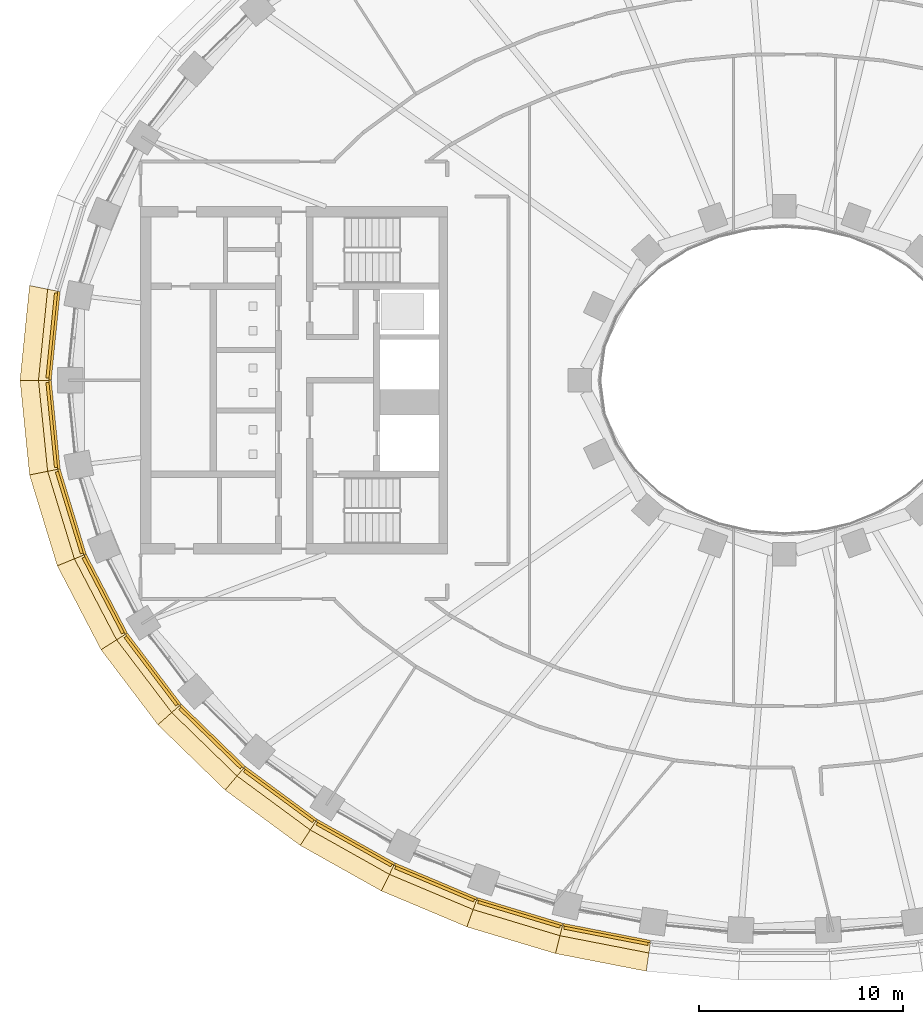
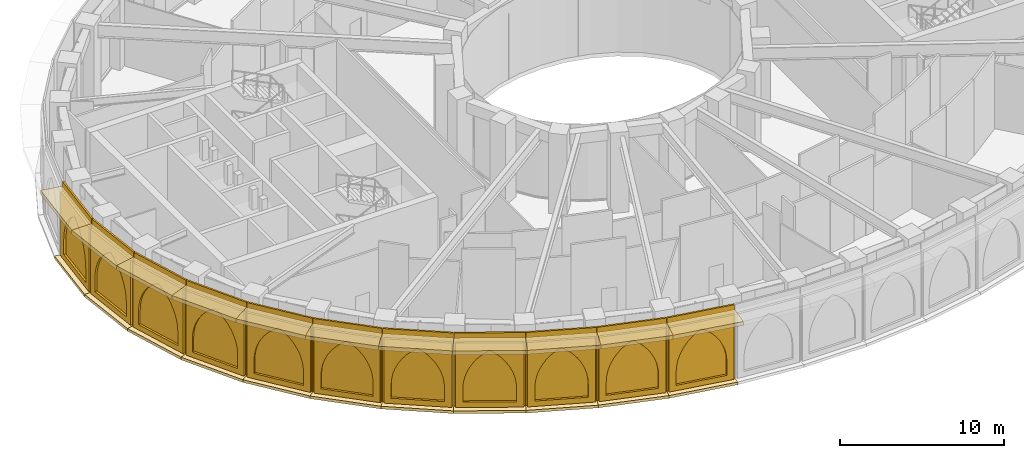
# One storey, part 17 of 23: 44 coverings.
"""IFC4 building model written with IfcOpenShell, lengths in metres."""

import ifcopenshell
import ifcopenshell.guid

model = None  # the IFC model being written
_history = None  # IfcOwnerHistory: only IFC2X3 demands one
_inside = {}  # id of a spatial element -> (the spatial element, [elements in it])
_under = {}  # id of a project, library or spatial element -> (it, [spatial elements below it])
_declared = {}  # id of a project -> (the project, [libraries it declares])
_typed = {}  # id of a type object -> (the type object, [elements of that type])
_made_of = {}  # id of a material, layer set ... -> (it, [elements and type objects made of it])


def new_model(schema):
    """Start an empty IFC model of exactly this schema.

    Asked for "IFC4X3", IfcOpenShell would pick the latest addendum, in which some entities
    have other attributes; the version numbers below select the first issue.
    IFC2X3 requires an IfcOwnerHistory on every rooted entity: one is made here for all.
    """
    global model, _history
    if schema == "IFC4X3":
        model = ifcopenshell.file(schema_version=(4, 3, 0, 0))
    else:
        model = ifcopenshell.file(schema=schema)
    _inside.clear()
    _under.clear()
    _declared.clear()
    _typed.clear()
    _made_of.clear()
    _history = None
    if model.schema == "IFC2X3":
        org = make("IfcOrganization", Name="unknown")
        user = make(
            "IfcPersonAndOrganization",
            ThePerson=make("IfcPerson", FamilyName="unknown"),
            TheOrganization=org,
        )
        app = make(
            "IfcApplication",
            ApplicationDeveloper=org,
            Version="unknown",
            ApplicationFullName="unknown",
            ApplicationIdentifier="unknown",
        )
        _history = make(
            "IfcOwnerHistory",
            OwningUser=user,
            OwningApplication=app,
            ChangeAction="ADDED",
            CreationDate=0,
        )
    return model


def make(cls, **values):
    """One entity of the class cls with the attributes given. An attribute that is None is left unset."""
    return model.create_entity(
        cls, **{name: value for name, value in values.items() if value is not None}
    )


def rooted(cls, **values):
    """An entity with a GlobalId (a new one), such as an element, a storey or a relation."""
    return make(cls, GlobalId=ifcopenshell.guid.new(), OwnerHistory=_history, **values)


def si_unit(unit_type, name, prefix=None):
    """IfcSIUnit, for example si_unit("LENGTHUNIT", "METRE", prefix="MILLI")."""
    return make("IfcSIUnit", UnitType=unit_type, Prefix=prefix, Name=name)


def assignment(units):
    """IfcUnitAssignment: the units of a project."""
    return None if units is None else make("IfcUnitAssignment", Units=units)


def point(xyz):
    """IfcCartesianPoint."""
    return None if xyz is None else make("IfcCartesianPoint", Coordinates=xyz)


def direction(xyz):
    """IfcDirection."""
    return None if xyz is None else make("IfcDirection", DirectionRatios=xyz)


def frame(location, z_axis=None, x_axis=None):
    """IfcAxis2Placement3D, a coordinate frame: its origin and axes. An axis left out is left unset."""
    return make(
        "IfcAxis2Placement3D",
        Location=point(location),
        Axis=direction(z_axis),
        RefDirection=direction(x_axis),
    )


def frame_2d(location, x_axis=None):
    """IfcAxis2Placement2D, a coordinate frame in the plane: its origin and x axis."""
    return make(
        "IfcAxis2Placement2D", Location=point(location), RefDirection=direction(x_axis)
    )


def origin():
    """The frame at (0, 0, 0) with its axes left unset."""
    return frame((0.0, 0.0, 0.0))


def origin_2d():
    """The frame at (0, 0) in the plane with its x axis left unset."""
    return frame_2d((0.0, 0.0))


def place(relative_to, where):
    """IfcLocalPlacement: puts the frame where relative to a parent placement (None: the world)."""
    return make(
        "IfcLocalPlacement", PlacementRelTo=relative_to, RelativePlacement=where
    )


def context(
    kind, dimensions, precision=None, world=None, true_north=None, identifier=None
):
    """IfcGeometricRepresentationContext, for example the 3D "Model" context."""
    return make(
        "IfcGeometricRepresentationContext",
        ContextIdentifier=identifier,
        ContextType=kind,
        CoordinateSpaceDimension=dimensions,
        Precision=precision,
        WorldCoordinateSystem=world,
        TrueNorth=true_north,
    )


def subcontext(parent, identifier, kind, view, scale=None):
    """IfcGeometricRepresentationSubContext, for example "Body" below "Model"."""
    return make(
        "IfcGeometricRepresentationSubContext",
        ContextIdentifier=identifier,
        ContextType=kind,
        ParentContext=parent,
        TargetScale=scale,
        TargetView=view,
    )


def project(units=None, contexts=None):
    """IfcProject with its units and contexts."""
    return rooted(
        "IfcProject",
        Name="project",
        RepresentationContexts=contexts,
        UnitsInContext=assignment(units),
    )


def spatial(cls, under=None, at=None, **own):
    """A site, building, storey or space (cls), placed at a placement, below another one or the project."""
    s = rooted(cls, ObjectPlacement=at, **own)
    if under is not None:
        _under.setdefault(under.id(), (under, []))[1].append(s)
    return s


def polyline(points):
    """IfcPolyline through the points."""
    return make("IfcPolyline", Points=[point(p) for p in points])


def profile(cls, at=None, kind="AREA", **sizes):
    """A parametric profile (cls). Its sizes go by their IFC names, for example OverallWidth=200.0."""
    return make(cls, ProfileType=kind, Position=at, **sizes)


def rectangle(**sizes):
    """IfcRectangleProfileDef."""
    return profile("IfcRectangleProfileDef", **sizes)


def outline(outer, holes=None, kind="AREA"):
    """IfcArbitraryClosedProfileDef: a profile drawn as a closed curve; with holes, ...WithVoids."""
    if holes is None:
        return make("IfcArbitraryClosedProfileDef", ProfileType=kind, OuterCurve=outer)
    return make(
        "IfcArbitraryProfileDefWithVoids",
        ProfileType=kind,
        OuterCurve=outer,
        InnerCurves=holes,
    )


def extrude(swept, where, along, depth):
    """IfcExtrudedAreaSolid: the profile swept, set in the frame where, extruded along a direction by depth."""
    return make(
        "IfcExtrudedAreaSolid",
        SweptArea=swept,
        Position=where,
        ExtrudedDirection=direction(along),
        Depth=depth,
    )


def shape(context_of_items, identifier, shape_type, items):
    """IfcShapeRepresentation: the items that make up one representation, for example the "Body"."""
    return make(
        "IfcShapeRepresentation",
        ContextOfItems=context_of_items,
        RepresentationIdentifier=identifier,
        RepresentationType=shape_type,
        Items=items,
    )


def material(Name=None, Category=None):
    """IfcMaterial."""
    return make("IfcMaterial", Name=Name, Category=Category)


def layer(
    of_material, thickness, ventilated=None, Name=None, Category=None, Priority=None
):
    """IfcMaterialLayer: one layer of a wall or slab, of a material (None: an air gap)."""
    return make(
        "IfcMaterialLayer",
        Material=of_material,
        LayerThickness=thickness,
        IsVentilated=ventilated,
        Name=Name,
        Category=Category,
        Priority=Priority,
    )


def layer_set(layers, Name=None):
    """IfcMaterialLayerSet."""
    return make("IfcMaterialLayerSet", MaterialLayers=layers, LayerSetName=Name)


def made_of(thing, what):
    """Note that an element or type object is made of a material, layer set ...; save() writes the relation."""
    if what is not None:
        _made_of.setdefault(what.id(), (what, []))[1].append(thing)
    return thing


def type_object(cls, material=None, **own):
    """A type object (cls), such as IfcWallType, which elements share."""
    return made_of(rooted(cls, **own), material)


def element(
    cls,
    number,
    at=None,
    inside=None,
    cuts=None,
    type_object=None,
    material=None,
    context=None,
    identifier="Body",
    shape_type=None,
    held_by="IfcProductDefinitionShape",
    body=None,
    shapes=None,
    **own,
):
    """One element of the class cls, such as IfcWall. Its Tag is "e" and its number.

    at: its placement. inside: the storey or other place that contains it. cuts: it is an
    opening in that element (IfcRelVoidsElement). A single representation is given by context,
    identifier, shape_type and body (its items); several are given by shapes. held_by: the class
    of the entity that holds the representations. save() writes the other relations.
    """
    e = rooted(cls, Tag="e%d" % number, ObjectPlacement=at, **own)
    if body is not None:
        shapes = [shape(context, identifier, shape_type, body)]
    if shapes is not None:
        e.Representation = make(held_by, Representations=shapes)
    if inside is not None:
        _inside.setdefault(inside.id(), (inside, []))[1].append(e)
    if cuts is not None:
        rooted(
            "IfcRelVoidsElement", RelatingBuildingElement=cuts, RelatedOpeningElement=e
        )
    if type_object is not None:
        _typed.setdefault(type_object.id(), (type_object, []))[1].append(e)
    return made_of(e, material)


def aggregate(whole, parts):
    """IfcRelAggregates: a whole, such as a stair, and the parts it consists of."""
    return rooted("IfcRelAggregates", RelatingObject=whole, RelatedObjects=parts)


def save(model, path):
    """Write the relations noted so far, then the file.

    IfcRelAggregates (storeys below a building ...), IfcRelContainedInSpatialStructure (elements
    in a storey), IfcRelDefinesByType, IfcRelAssociatesMaterial and IfcRelDeclares: one each for
    every whole, place, type object, material and project.
    """
    for whole, parts in _under.values():
        aggregate(whole, parts)
    for where, things in _inside.values():
        rooted(
            "IfcRelContainedInSpatialStructure",
            RelatedElements=things,
            RelatingStructure=where,
        )
    for kind, things in _typed.values():
        rooted("IfcRelDefinesByType", RelatedObjects=things, RelatingType=kind)
    for what, things in _made_of.values():
        rooted("IfcRelAssociatesMaterial", RelatedObjects=things, RelatingMaterial=what)
    for by, libraries in _declared.values():
        rooted("IfcRelDeclares", RelatingContext=by, RelatedDefinitions=libraries)
    model.write(path)


model = new_model("IFC4")

# Units and contexts
model_context = context("Model", 3, precision=1e-05, world=origin(), true_north=direction((0.0, 1.0)))
body_context = subcontext(model_context, "Body", "Model", "MODEL_VIEW")
ifc_project = project(units=[si_unit("LENGTHUNIT", "METRE"), si_unit("AREAUNIT", "SQUARE_METRE"), si_unit("VOLUMEUNIT", "CUBIC_METRE"), si_unit("PLANEANGLEUNIT", "RADIAN"), si_unit("MASSUNIT", "GRAM", prefix="KILO")], contexts=[model_context])

# Site, building, storey
site_placement = place(None, origin())
site = spatial("IfcSite", under=ifc_project, at=site_placement, CompositionType="ELEMENT")
building_placement = place(site_placement, origin())
building = spatial("IfcBuilding", under=site, at=building_placement, Name="Noorbagh Ring Tower", CompositionType="ELEMENT")
storey_placement = place(building_placement, frame((0.0, 0.0, 140.0)))
storey = spatial("IfcBuildingStorey", under=building, at=storey_placement, Name="L32", CompositionType="ELEMENT", Elevation=140.0)

# Coverings
ifc_material_1 = material(Name="Aluminium 6063-T6 black anodised", Category="aluminium")
ifc_layer_1 = layer(ifc_material_1, 0.1201171875)
ifc_layer_set_1 = layer_set([ifc_layer_1], Name="Aluminium 6063-T6 black anodised")
covering_type_1 = type_object("IfcCoveringType", Name="ENV-LOUVRE-BAND", PredefinedType="CLADDING", material=ifc_layer_set_1)
for number, where, z_axis, x_axis, name in (
    (1, (-35.720947265625, 2.17333984375, -0.300048828125), (0.0, 0.0, 1.0), (-0.100178263068, -0.994969504864, 0.0), "Louvre screen chord 23"),
    (2, (-35.720947265625, -2.17333984375, -0.300048828125), (0.0, 0.0, 1.0), (0.100178263068, -0.994969504864, 0.0), "Louvre screen chord 24"),
):
    element("IfcCovering", number, at=place(storey_placement, frame(where, z_axis=z_axis, x_axis=x_axis)), inside=storey, type_object=covering_type_1, Name=name, ObjectType="LOUVRE", PredefinedType="CLADDING", context=body_context, shape_type="SweptSolid", body=[
        extrude(rectangle(XDim=4.34423828125, YDim=0.1201171875, at=origin_2d()), origin(), (0.0, 0.0, 1.0), 6.0),
    ])
covering_1_placement = place(storey_placement, frame((-34.86376953125, -6.436279296875, -0.300048828125), z_axis=(0.0, 0.0, 1.0), x_axis=(0.292170066961, -0.95636637957, 0.0)))
element("IfcCovering", 3, at=covering_1_placement, inside=storey, type_object=covering_type_1, Name="Louvre screen chord 25", ObjectType="LOUVRE", PredefinedType="CLADDING", context=body_context, shape_type="SweptSolid", body=[
    extrude(rectangle(XDim=4.344970703125, YDim=0.1201171875, at=origin_2d()), origin(), (0.0, 0.0, 1.0), 6.0),
])
covering_2_placement = place(storey_placement, frame((-33.21484375, -10.464111328125, -0.300048828125), z_axis=(0.0, 0.0, 1.0), x_axis=(0.462278064231, -0.88673501754, 0.0)))
element("IfcCovering", 4, at=covering_2_placement, inside=storey, type_object=covering_type_1, Name="Louvre screen chord 26", ObjectType="LOUVRE", PredefinedType="CLADDING", context=body_context, shape_type="SweptSolid", body=[
    extrude(rectangle(XDim=4.345947265625, YDim=0.1201171875, at=origin_2d()), origin(), (0.0, 0.0, 1.0), 6.0),
])
covering_3_placement = place(storey_placement, frame((-30.883544921875, -14.145263671875, -0.300048828125), z_axis=(0.0, 0.0, 1.0), x_axis=(0.604020184358, -0.796969018776, 0.0)))
element("IfcCovering", 5, at=covering_3_placement, inside=storey, type_object=covering_type_1, Name="Louvre screen chord 27", ObjectType="LOUVRE", PredefinedType="CLADDING", context=body_context, shape_type="SweptSolid", body=[
    extrude(rectangle(XDim=4.346923828125, YDim=0.1201171875, at=origin_2d()), origin(), (0.0, 0.0, 1.0), 6.0),
])
covering_4_placement = place(storey_placement, frame((-27.993408203125, -17.41259765625, -0.300048828125), z_axis=(0.0, 0.0, 1.0), x_axis=(0.717224548362, -0.696842125038, 0.0)))
element("IfcCovering", 6, at=covering_4_placement, inside=storey, type_object=covering_type_1, Name="Louvre screen chord 28", ObjectType="LOUVRE", PredefinedType="CLADDING", context=body_context, shape_type="SweptSolid", body=[
    extrude(rectangle(XDim=4.347900390625, YDim=0.1201171875, at=origin_2d()), origin(), (0.0, 0.0, 1.0), 6.0),
])
covering_5_placement = place(storey_placement, frame((-24.662109375, -20.2353515625, -0.300048828125), z_axis=(0.0, 0.0, 1.0), x_axis=(0.805153045326, -0.593067090304, 0.0)))
element("IfcCovering", 7, at=covering_5_placement, inside=storey, type_object=covering_type_1, Name="Louvre screen chord 29", ObjectType="LOUVRE", PredefinedType="CLADDING", context=body_context, shape_type="SweptSolid", body=[
    extrude(rectangle(XDim=4.3486328125, YDim=0.1201171875, at=origin_2d()), origin(), (0.0, 0.0, 1.0), 6.0),
])
covering_6_placement = place(storey_placement, frame((-20.990966796875, -22.604736328125, -0.300048828125), z_axis=(0.0, 0.0, 1.0), x_axis=(0.872044586249, -0.48942643941, 0.0)))
element("IfcCovering", 8, at=covering_6_placement, inside=storey, type_object=covering_type_1, Name="Louvre screen chord 30", ObjectType="LOUVRE", PredefinedType="CLADDING", context=body_context, shape_type="SweptSolid", body=[
    extrude(rectangle(XDim=4.34912109375, YDim=0.1201171875, at=origin_2d()), origin(), (0.0, 0.0, 1.0), 6.0),
])
covering_7_placement = place(storey_placement, frame((-17.0634765625, -24.52490234375, -0.300048828125), z_axis=(0.0, 0.0, 1.0), x_axis=(0.921811566494, -0.387638279686, 0.0)))
element("IfcCovering", 9, at=covering_7_placement, inside=storey, type_object=covering_type_1, Name="Louvre screen chord 31", ObjectType="LOUVRE", PredefinedType="CLADDING", context=body_context, shape_type="SweptSolid", body=[
    extrude(rectangle(XDim=4.349365234375, YDim=0.1201171875, at=origin_2d()), origin(), (0.0, 0.0, 1.0), 6.0),
])
covering_8_placement = place(storey_placement, frame((-12.947998046875, -26.0048828125, -0.300048828125), z_axis=(0.0, 0.0, 1.0), x_axis=(0.957577925467, -0.28817445525, 0.0)))
element("IfcCovering", 10, at=covering_8_placement, inside=storey, type_object=covering_type_1, Name="Louvre screen chord 32", ObjectType="LOUVRE", PredefinedType="CLADDING", context=body_context, shape_type="SweptSolid", body=[
    extrude(rectangle(XDim=4.349609375, YDim=0.1201171875, at=origin_2d()), origin(), (0.0, 0.0, 1.0), 6.0),
])
covering_9_placement = place(storey_placement, frame((-8.700927734375, -27.053955078125, -0.300048828125), z_axis=(0.0, 0.0, 1.0), x_axis=(0.981624952922, -0.190820470077, 0.0)))
element("IfcCovering", 11, at=covering_9_placement, inside=storey, type_object=covering_type_1, Name="Louvre screen chord 33", ObjectType="LOUVRE", PredefinedType="CLADDING", context=body_context, shape_type="SweptSolid", body=[
    extrude(rectangle(XDim=4.349853515625, YDim=0.1201171875, at=origin_2d()), origin(), (0.0, 0.0, 1.0), 6.0),
])
ifc_material_2 = material(Name="Red sandstone cladding", Category="masonry")
ifc_layer_2 = layer(ifc_material_2, 0.14990234375)
ifc_layer_set_2 = layer_set([ifc_layer_2], Name="Red sandstone cladding")
covering_type_2 = type_object("IfcCoveringType", Name="STYLE-BAND-ARCADE", PredefinedType="USERDEFINED", material=ifc_layer_set_2)
for number, where, z_axis, x_axis, name in (
    (12, (-35.720458984375, 4.274169921875, 0.25), (-0.99497222215, 0.100151271334, 0.0), (-0.100151271334, -0.99497222215, 0.0), "Blind arch bay of the band"),
    (13, (-36.13916015625, -0.114501953125, 0.25), (-0.99497222215, -0.100151271334, 0.0), (0.100151271334, -0.99497222215, 0.0), "Blind arch bay of the band"),
):
    element("IfcCovering", number, at=place(storey_placement, frame(where, z_axis=z_axis, x_axis=x_axis)), inside=storey, type_object=covering_type_2, Name=name, ObjectType="ARCH", PredefinedType="USERDEFINED", context=body_context, shape_type="SweptSolid", body=[
        extrude(outline(polyline([(0.0, 0.0), (4.1806640625, 0.0), (4.1806640625, 4.800048828125), (0.0, 4.800048828125), (0.0, 0.0)]), holes=[polyline([(0.449951171875, 0.39990234375), (0.449951171875, 1.408935546875), (0.47802734375, 1.837158203125), (0.561767578125, 2.258056640625), (0.69970703125, 2.664306640625), (0.889404296875, 3.04931640625), (1.1279296875, 3.406005859375), (1.410888671875, 3.728759765625), (1.7333984375, 4.01171875), (2.09033203125, 4.25), (2.447265625, 4.01171875), (2.769775390625, 3.728759765625), (3.052734375, 3.406005859375), (3.291259765625, 3.04931640625), (3.48095703125, 2.664306640625), (3.618896484375, 2.258056640625), (3.70263671875, 1.837158203125), (3.730712890625, 1.408935546875), (3.730712890625, 0.39990234375), (0.449951171875, 0.39990234375)])]), origin(), (0.0, 0.0, -1.0), 0.14990234375),
    ])
covering_10_placement = place(storey_placement, frame((-35.67529296875, -4.498046875, 0.25), z_axis=(-0.956367886414, -0.292165134531, 0.0), x_axis=(0.292165134531, -0.956367886414, 0.0)))
element("IfcCovering", 14, at=covering_10_placement, inside=storey, type_object=covering_type_2, Name="Blind arch bay of the band", ObjectType="ARCH", PredefinedType="USERDEFINED", context=body_context, shape_type="SweptSolid", body=[
    extrude(outline(polyline([(0.0, 0.0), (4.181396484375, 0.0), (4.181396484375, 4.800048828125), (0.0, 4.800048828125), (0.0, 0.0)]), holes=[polyline([(0.449951171875, 0.39990234375), (0.449951171875, 1.408447265625), (0.47802734375, 1.836669921875), (0.561767578125, 2.257568359375), (0.69970703125, 2.6640625), (0.8896484375, 3.049072265625), (1.128173828125, 3.406005859375), (1.4111328125, 3.728515625), (1.73388671875, 4.01171875), (2.0908203125, 4.25), (2.447509765625, 4.01171875), (2.770263671875, 3.728515625), (3.05322265625, 3.406005859375), (3.291748046875, 3.049072265625), (3.4814453125, 2.6640625), (3.619384765625, 2.257568359375), (3.703125, 1.836669921875), (3.731201171875, 1.408447265625), (3.731201171875, 0.39990234375), (0.449951171875, 0.39990234375)])]), origin(), (0.0, 0.0, -1.0), 0.14990234375),
])
covering_11_placement = place(storey_placement, frame((-34.367919921875, -8.706787109375, 0.25), z_axis=(-0.886709716342, -0.462326593379, 0.0), x_axis=(0.462326593379, -0.886709716342, 0.0)))
element("IfcCovering", 15, at=covering_11_placement, inside=storey, type_object=covering_type_2, Name="Blind arch bay of the band", ObjectType="ARCH", PredefinedType="USERDEFINED", context=body_context, shape_type="SweptSolid", body=[
    extrude(outline(polyline([(0.0, 0.0), (4.182373046875, 0.0), (4.182373046875, 4.800048828125), (0.0, 4.800048828125), (0.0, 0.0)]), holes=[polyline([(0.449951171875, 0.39990234375), (0.449951171875, 1.407470703125), (0.47802734375, 1.8359375), (0.561767578125, 2.257080078125), (0.699951171875, 2.66357421875), (0.8896484375, 3.048583984375), (1.12841796875, 3.40576171875), (1.411376953125, 3.728515625), (1.734130859375, 4.01171875), (2.09130859375, 4.25), (2.447998046875, 4.01171875), (2.77099609375, 3.728515625), (3.053955078125, 3.40576171875), (3.29248046875, 3.048583984375), (3.482421875, 2.66357421875), (3.62060546875, 2.257080078125), (3.7041015625, 1.8359375), (3.732421875, 1.407470703125), (3.732421875, 0.39990234375), (0.449951171875, 0.39990234375)])]), origin(), (0.0, 0.0, -1.0), 0.14990234375),
])
covering_12_placement = place(storey_placement, frame((-32.314453125, -12.60498046875, 0.25), z_axis=(-0.796985737541, -0.603998124299, 0.0), x_axis=(0.603998124299, -0.796985737541, 0.0)))
element("IfcCovering", 16, at=covering_12_placement, inside=storey, type_object=covering_type_2, Name="Blind arch bay of the band", ObjectType="ARCH", PredefinedType="USERDEFINED", context=body_context, shape_type="SweptSolid", body=[
    extrude(outline(polyline([(0.0, 0.0), (4.18359375, 0.0), (4.18359375, 4.800048828125), (0.0, 4.800048828125), (0.0, 0.0)]), holes=[polyline([(0.449951171875, 0.39990234375), (0.449951171875, 1.406494140625), (0.47802734375, 1.835205078125), (0.56201171875, 2.25634765625), (0.699951171875, 2.6630859375), (0.889892578125, 3.04833984375), (1.12841796875, 3.405517578125), (1.41162109375, 3.728271484375), (1.734619140625, 4.011474609375), (2.091796875, 4.25), (2.44873046875, 4.011474609375), (2.771728515625, 3.728271484375), (3.054931640625, 3.405517578125), (3.29345703125, 3.04833984375), (3.4833984375, 2.6630859375), (3.62158203125, 2.25634765625), (3.705322265625, 1.835205078125), (3.7333984375, 1.406494140625), (3.7333984375, 0.39990234375), (0.449951171875, 0.39990234375)])]), origin(), (0.0, 0.0, -1.0), 0.14990234375),
])
covering_13_placement = place(storey_placement, frame((-29.640380859375, -16.10546875, 0.25), z_axis=(-0.696851724238, -0.717215221831, 0.0), x_axis=(0.717215221831, -0.696851724238, 0.0)))
element("IfcCovering", 17, at=covering_13_placement, inside=storey, type_object=covering_type_2, Name="Blind arch bay of the band", ObjectType="ARCH", PredefinedType="USERDEFINED", context=body_context, shape_type="SweptSolid", body=[
    extrude(outline(polyline([(0.0, 0.0), (4.184326171875, 0.0), (4.184326171875, 4.800048828125), (0.0, 4.800048828125), (0.0, 0.0)]), holes=[polyline([(0.449951171875, 0.39990234375), (0.449951171875, 1.40576171875), (0.47802734375, 1.83447265625), (0.56201171875, 2.255859375), (0.699951171875, 2.66259765625), (0.889892578125, 3.048095703125), (1.128662109375, 3.4052734375), (1.411865234375, 3.728271484375), (1.73486328125, 4.011474609375), (2.092041015625, 4.25), (2.44921875, 4.011474609375), (2.772216796875, 3.728271484375), (3.0556640625, 3.4052734375), (3.294189453125, 3.048095703125), (3.484130859375, 2.66259765625), (3.622314453125, 2.255859375), (3.706298828125, 1.83447265625), (3.734130859375, 1.40576171875), (3.734130859375, 0.39990234375), (0.449951171875, 0.39990234375)])]), origin(), (0.0, 0.0, -1.0), 0.14990234375),
])
covering_14_placement = place(storey_placement, frame((-26.471435546875, -19.163330078125, 0.25), z_axis=(-0.593079629262, -0.805143809114, 0.0), x_axis=(0.805143809114, -0.593079629262, 0.0)))
element("IfcCovering", 18, at=covering_14_placement, inside=storey, type_object=covering_type_2, Name="Blind arch bay of the band", ObjectType="ARCH", PredefinedType="USERDEFINED", context=body_context, shape_type="SweptSolid", body=[
    extrude(outline(polyline([(0.0, 0.0), (4.184814453125, 0.0), (4.184814453125, 4.800048828125), (0.0, 4.800048828125), (0.0, 0.0)]), holes=[polyline([(0.449951171875, 0.39990234375), (0.449951171875, 1.4052734375), (0.47802734375, 1.833984375), (0.56201171875, 2.25537109375), (0.7001953125, 2.662353515625), (0.89013671875, 3.047607421875), (1.12890625, 3.405029296875), (1.412109375, 3.72802734375), (1.735107421875, 4.011474609375), (2.092529296875, 4.25), (2.44970703125, 4.011474609375), (2.772705078125, 3.72802734375), (3.05615234375, 3.405029296875), (3.294921875, 3.047607421875), (3.48486328125, 2.662353515625), (3.623046875, 2.25537109375), (3.706787109375, 1.833984375), (3.73486328125, 1.4052734375), (3.73486328125, 0.39990234375), (0.449951171875, 0.39990234375)])]), origin(), (0.0, 0.0, -1.0), 0.14990234375),
])
covering_15_placement = place(storey_placement, frame((-22.918701171875, -21.763671875, 0.25), z_axis=(-0.489402470802, -0.872058037961, 0.0), x_axis=(0.872058037961, -0.489402470802, 0.0)))
element("IfcCovering", 19, at=covering_15_placement, inside=storey, type_object=covering_type_2, Name="Blind arch bay of the band", ObjectType="ARCH", PredefinedType="USERDEFINED", context=body_context, shape_type="SweptSolid", body=[
    extrude(outline(polyline([(0.0, 0.0), (4.185302734375, 0.0), (4.185302734375, 4.800048828125), (0.0, 4.800048828125), (0.0, 0.0)]), holes=[polyline([(0.449951171875, 0.39990234375), (0.449951171875, 1.40478515625), (0.47802734375, 1.83349609375), (0.56201171875, 2.255126953125), (0.7001953125, 2.662109375), (0.89013671875, 3.047607421875), (1.12890625, 3.40478515625), (1.412353515625, 3.72802734375), (1.7353515625, 4.01123046875), (2.0927734375, 4.25), (2.4501953125, 4.01123046875), (2.773193359375, 3.72802734375), (3.056396484375, 3.40478515625), (3.29541015625, 3.047607421875), (3.4853515625, 2.662109375), (3.62353515625, 2.255126953125), (3.70751953125, 1.83349609375), (3.735595703125, 1.40478515625), (3.735595703125, 0.39990234375), (0.449951171875, 0.39990234375)])]), origin(), (0.0, 0.0, -1.0), 0.14990234375),
])
covering_16_placement = place(storey_placement, frame((-19.07421875, -23.9072265625, 0.25), z_axis=(-0.387624121421, -0.92181752017, 0.0), x_axis=(0.92181752017, -0.387624121421, 0.0)))
element("IfcCovering", 20, at=covering_16_placement, inside=storey, type_object=covering_type_2, Name="Blind arch bay of the band", ObjectType="ARCH", PredefinedType="USERDEFINED", context=body_context, shape_type="SweptSolid", body=[
    extrude(outline(polyline([(0.0, 0.0), (4.185791015625, 0.0), (4.185791015625, 4.800048828125), (0.0, 4.800048828125), (0.0, 0.0)]), holes=[polyline([(0.449951171875, 0.39990234375), (0.449951171875, 1.404541015625), (0.47802734375, 1.83349609375), (0.56201171875, 2.2548828125), (0.7001953125, 2.661865234375), (0.89013671875, 3.04736328125), (1.12890625, 3.40478515625), (1.412353515625, 3.727783203125), (1.735595703125, 4.01123046875), (2.093017578125, 4.25), (2.4501953125, 4.01123046875), (2.7734375, 3.727783203125), (3.056884765625, 3.40478515625), (3.295654296875, 3.04736328125), (3.485595703125, 2.661865234375), (3.623779296875, 2.2548828125), (3.707763671875, 1.83349609375), (3.73583984375, 1.404541015625), (3.73583984375, 0.39990234375), (0.449951171875, 0.39990234375)])]), origin(), (0.0, 0.0, -1.0), 0.14990234375),
])
covering_17_placement = place(storey_placement, frame((-15.0126953125, -25.602783203125, 0.25), z_axis=(-0.288182515773, -0.957575499688, 0.0), x_axis=(0.957575499688, -0.288182515773, 0.0)))
element("IfcCovering", 21, at=covering_17_placement, inside=storey, type_object=covering_type_2, Name="Blind arch bay of the band", ObjectType="ARCH", PredefinedType="USERDEFINED", context=body_context, shape_type="SweptSolid", body=[
    extrude(outline(polyline([(0.0, 0.0), (4.185791015625, 0.0), (4.185791015625, 4.800048828125), (0.0, 4.800048828125), (0.0, 0.0)]), holes=[polyline([(0.449951171875, 0.39990234375), (0.449951171875, 1.404296875), (0.47802734375, 1.833251953125), (0.56201171875, 2.2548828125), (0.7001953125, 2.661865234375), (0.890380859375, 3.04736328125), (1.129150390625, 3.40478515625), (1.41259765625, 3.727783203125), (1.735595703125, 4.01123046875), (2.093017578125, 4.25), (2.450439453125, 4.01123046875), (2.773681640625, 3.727783203125), (3.056884765625, 3.40478515625), (3.2958984375, 3.04736328125), (3.48583984375, 2.661865234375), (3.6240234375, 2.2548828125), (3.7080078125, 1.833251953125), (3.736083984375, 1.404296875), (3.736083984375, 0.39990234375), (0.449951171875, 0.39990234375)])]), origin(), (0.0, 0.0, -1.0), 0.14990234375),
])
covering_18_placement = place(storey_placement, frame((-10.7958984375, -26.860595703125, 0.25), z_axis=(-0.190819708322, -0.981625101001, 0.0), x_axis=(0.981625101001, -0.190819708322, 0.0)))
element("IfcCovering", 22, at=covering_18_placement, inside=storey, type_object=covering_type_2, Name="Blind arch bay of the band", ObjectType="ARCH", PredefinedType="USERDEFINED", context=body_context, shape_type="SweptSolid", body=[
    extrude(outline(polyline([(0.0, 0.0), (4.186279296875, 0.0), (4.186279296875, 4.800048828125), (0.0, 4.800048828125), (0.0, 0.0)]), holes=[polyline([(0.449951171875, 0.39990234375), (0.449951171875, 1.404052734375), (0.47802734375, 1.8330078125), (0.56201171875, 2.254638671875), (0.7001953125, 2.66162109375), (0.890380859375, 3.047119140625), (1.129150390625, 3.40478515625), (1.41259765625, 3.727783203125), (1.735595703125, 4.01123046875), (2.093017578125, 4.25), (2.450439453125, 4.01123046875), (2.773681640625, 3.727783203125), (3.05712890625, 3.40478515625), (3.2958984375, 3.047119140625), (3.486083984375, 2.66162109375), (3.624267578125, 2.254638671875), (3.7080078125, 1.8330078125), (3.736083984375, 1.404052734375), (3.736083984375, 0.39990234375), (0.449951171875, 0.39990234375)])]), origin(), (0.0, 0.0, -1.0), 0.14990234375),
])
ifc_material_3 = material(Name="Red sandstone eave", Category="masonry")
covering_type_3 = type_object("IfcCoveringType", Name="STYLE-BAND-EAVE", PredefinedType="USERDEFINED", material=ifc_material_3)
covering_19_placement = place(storey_placement, frame((0.0, 0.0, 5.050048828125)))
element("IfcCovering", 23, at=covering_19_placement, inside=storey, type_object=covering_type_3, Name="Chhajja eave", ObjectType="CHHAJJA", PredefinedType="USERDEFINED", context=body_context, shape_type="SweptSolid", body=[
    extrude(outline(polyline([(-35.561279296875, 4.358642578125), (-36.0, 0.0), (-37.406982421875, 0.0), (-36.940185546875, 4.635986328125), (-35.561279296875, 4.358642578125)])), origin(), (0.0, 0.0, 1.0), 0.300048828125),
])
covering_20_placement = place(storey_placement, frame((0.0, 0.0, 5.050048828125)))
element("IfcCovering", 24, at=covering_20_placement, inside=storey, type_object=covering_type_3, Name="Chhajja eave", ObjectType="CHHAJJA", PredefinedType="USERDEFINED", context=body_context, shape_type="SweptSolid", body=[
    extrude(outline(polyline([(-36.0, 0.0), (-35.561279296875, -4.358642578125), (-36.940185546875, -4.635986328125), (-37.406982421875, 0.0), (-36.0, 0.0)])), origin(), (0.0, 0.0, 1.0), 0.300048828125),
])
covering_21_placement = place(storey_placement, frame((0.0, 0.0, 5.050048828125)))
element("IfcCovering", 25, at=covering_21_placement, inside=storey, type_object=covering_type_3, Name="Chhajja eave", ObjectType="CHHAJJA", PredefinedType="USERDEFINED", context=body_context, shape_type="SweptSolid", body=[
    extrude(outline(polyline([(-35.561279296875, -4.358642578125), (-34.281005859375, -8.548828125), (-35.582275390625, -9.081298828125), (-36.940185546875, -4.635986328125), (-35.561279296875, -4.358642578125)])), origin(), (0.0, 0.0, 1.0), 0.300048828125),
])
covering_22_placement = place(storey_placement, frame((0.0, 0.0, 5.050048828125)))
element("IfcCovering", 26, at=covering_22_placement, inside=storey, type_object=covering_type_3, Name="Chhajja eave", ObjectType="CHHAJJA", PredefinedType="USERDEFINED", context=body_context, shape_type="SweptSolid", body=[
    extrude(outline(polyline([(-34.281005859375, -8.548828125), (-32.255126953125, -12.434814453125), (-33.442138671875, -13.186279296875), (-35.582275390625, -9.081298828125), (-34.281005859375, -8.548828125)])), origin(), (0.0, 0.0, 1.0), 0.300048828125),
])
covering_23_placement = place(storey_placement, frame((0.0, 0.0, 5.050048828125)))
element("IfcCovering", 27, at=covering_23_placement, inside=storey, type_object=covering_type_3, Name="Chhajja eave", ObjectType="CHHAJJA", PredefinedType="USERDEFINED", context=body_context, shape_type="SweptSolid", body=[
    extrude(outline(polyline([(-32.255126953125, -12.434814453125), (-29.607666015625, -15.927978515625), (-30.6591796875, -16.8583984375), (-33.442138671875, -13.186279296875), (-32.255126953125, -12.434814453125)])), origin(), (0.0, 0.0, 1.0), 0.300048828125),
])
covering_24_placement = place(storey_placement, frame((0.0, 0.0, 5.050048828125)))
element("IfcCovering", 28, at=covering_24_placement, inside=storey, type_object=covering_type_3, Name="Chhajja eave", ObjectType="CHHAJJA", PredefinedType="USERDEFINED", context=body_context, shape_type="SweptSolid", body=[
    extrude(outline(polyline([(-29.607666015625, -15.927978515625), (-26.463134765625, -18.9833984375), (-27.3701171875, -20.053955078125), (-30.6591796875, -16.8583984375), (-29.607666015625, -15.927978515625)])), origin(), (0.0, 0.0, 1.0), 0.300048828125),
])
covering_25_placement = place(storey_placement, frame((0.0, 0.0, 5.050048828125)))
element("IfcCovering", 29, at=covering_25_placement, inside=storey, type_object=covering_type_3, Name="Chhajja eave", ObjectType="CHHAJJA", PredefinedType="USERDEFINED", context=body_context, shape_type="SweptSolid", body=[
    extrude(outline(polyline([(-26.463134765625, -18.9833984375), (-22.9326171875, -21.583740234375), (-23.693115234375, -22.762451171875), (-27.3701171875, -20.053955078125), (-26.463134765625, -18.9833984375)])), origin(), (0.0, 0.0, 1.0), 0.300048828125),
])
covering_26_placement = place(storey_placement, frame((0.0, 0.0, 5.050048828125)))
element("IfcCovering", 30, at=covering_26_placement, inside=storey, type_object=covering_type_3, Name="Chhajja eave", ObjectType="CHHAJJA", PredefinedType="USERDEFINED", context=body_context, shape_type="SweptSolid", body=[
    extrude(outline(polyline([(-22.9326171875, -21.583740234375), (-19.108154296875, -23.730224609375), (-19.72412109375, -24.989990234375), (-23.693115234375, -22.762451171875), (-22.9326171875, -21.583740234375)])), origin(), (0.0, 0.0, 1.0), 0.300048828125),
])
covering_27_placement = place(storey_placement, frame((0.0, 0.0, 5.050048828125)))
element("IfcCovering", 31, at=covering_27_placement, inside=storey, type_object=covering_type_3, Name="Chhajja eave", ObjectType="CHHAJJA", PredefinedType="USERDEFINED", context=body_context, shape_type="SweptSolid", body=[
    extrude(outline(polyline([(-19.108154296875, -23.730224609375), (-15.065185546875, -25.430419921875), (-15.539794921875, -26.74951171875), (-19.72412109375, -24.989990234375), (-19.108154296875, -23.730224609375)])), origin(), (0.0, 0.0, 1.0), 0.300048828125),
])
covering_28_placement = place(storey_placement, frame((0.0, 0.0, 5.050048828125)))
element("IfcCovering", 32, at=covering_28_placement, inside=storey, type_object=covering_type_3, Name="Chhajja eave", ObjectType="CHHAJJA", PredefinedType="USERDEFINED", context=body_context, shape_type="SweptSolid", body=[
    extrude(outline(polyline([(-15.065185546875, -25.430419921875), (-10.865234375, -26.6943359375), (-11.201416015625, -28.05517578125), (-15.539794921875, -26.74951171875), (-15.065185546875, -25.430419921875)])), origin(), (0.0, 0.0, 1.0), 0.300048828125),
])
covering_29_placement = place(storey_placement, frame((0.0, 0.0, 5.050048828125)))
element("IfcCovering", 33, at=covering_29_placement, inside=storey, type_object=covering_type_3, Name="Chhajja eave", ObjectType="CHHAJJA", PredefinedType="USERDEFINED", context=body_context, shape_type="SweptSolid", body=[
    extrude(outline(polyline([(-10.865234375, -26.6943359375), (-6.559814453125, -27.53125), (-6.76025390625, -28.91845703125), (-11.201416015625, -28.05517578125), (-10.865234375, -26.6943359375)])), origin(), (0.0, 0.0, 1.0), 0.300048828125),
])
ifc_material_4 = material(Name="Red sandstone eave", Category="masonry")
covering_type_4 = type_object("IfcCoveringType", Name="STYLE-BAND-SILL", PredefinedType="USERDEFINED", material=ifc_material_4)
covering_30_placement = place(storey_placement, frame((0.0, 0.0, 0.050048828125)))
element("IfcCovering", 34, at=covering_30_placement, inside=storey, type_object=covering_type_4, Name="Sill ledge", ObjectType="CHHAJJA", PredefinedType="USERDEFINED", context=body_context, shape_type="SweptSolid", body=[
    extrude(outline(polyline([(-35.561279296875, 4.358642578125), (-36.0, 0.0), (-36.50244140625, 0.0), (-36.0537109375, 4.457763671875), (-35.561279296875, 4.358642578125)])), origin(), (0.0, 0.0, 1.0), 0.199951171875),
])
covering_31_placement = place(storey_placement, frame((0.0, 0.0, 0.050048828125)))
element("IfcCovering", 35, at=covering_31_placement, inside=storey, type_object=covering_type_4, Name="Sill ledge", ObjectType="CHHAJJA", PredefinedType="USERDEFINED", context=body_context, shape_type="SweptSolid", body=[
    extrude(outline(polyline([(-36.0, 0.0), (-35.561279296875, -4.358642578125), (-36.0537109375, -4.457763671875), (-36.50244140625, 0.0), (-36.0, 0.0)])), origin(), (0.0, 0.0, 1.0), 0.199951171875),
])
covering_32_placement = place(storey_placement, frame((0.0, 0.0, 0.050048828125)))
element("IfcCovering", 36, at=covering_32_placement, inside=storey, type_object=covering_type_4, Name="Sill ledge", ObjectType="CHHAJJA", PredefinedType="USERDEFINED", context=body_context, shape_type="SweptSolid", body=[
    extrude(outline(polyline([(-35.561279296875, -4.358642578125), (-34.281005859375, -8.548828125), (-34.745849609375, -8.739013671875), (-36.0537109375, -4.457763671875), (-35.561279296875, -4.358642578125)])), origin(), (0.0, 0.0, 1.0), 0.199951171875),
])
covering_33_placement = place(storey_placement, frame((0.0, 0.0, 0.050048828125)))
element("IfcCovering", 37, at=covering_33_placement, inside=storey, type_object=covering_type_4, Name="Sill ledge", ObjectType="CHHAJJA", PredefinedType="USERDEFINED", context=body_context, shape_type="SweptSolid", body=[
    extrude(outline(polyline([(-34.281005859375, -8.548828125), (-32.255126953125, -12.434814453125), (-32.67919921875, -12.703125), (-34.745849609375, -8.739013671875), (-34.281005859375, -8.548828125)])), origin(), (0.0, 0.0, 1.0), 0.199951171875),
])
covering_34_placement = place(storey_placement, frame((0.0, 0.0, 0.050048828125)))
element("IfcCovering", 38, at=covering_34_placement, inside=storey, type_object=covering_type_4, Name="Sill ledge", ObjectType="CHHAJJA", PredefinedType="USERDEFINED", context=body_context, shape_type="SweptSolid", body=[
    extrude(outline(polyline([(-32.255126953125, -12.434814453125), (-29.607666015625, -15.927978515625), (-29.983154296875, -16.260498046875), (-32.67919921875, -12.703125), (-32.255126953125, -12.434814453125)])), origin(), (0.0, 0.0, 1.0), 0.199951171875),
])
covering_35_placement = place(storey_placement, frame((0.0, 0.0, 0.050048828125)))
element("IfcCovering", 39, at=covering_35_placement, inside=storey, type_object=covering_type_4, Name="Sill ledge", ObjectType="CHHAJJA", PredefinedType="USERDEFINED", context=body_context, shape_type="SweptSolid", body=[
    extrude(outline(polyline([(-29.607666015625, -15.927978515625), (-26.463134765625, -18.9833984375), (-26.787109375, -19.365478515625), (-29.983154296875, -16.260498046875), (-29.607666015625, -15.927978515625)])), origin(), (0.0, 0.0, 1.0), 0.199951171875),
])
covering_36_placement = place(storey_placement, frame((0.0, 0.0, 0.050048828125)))
element("IfcCovering", 40, at=covering_36_placement, inside=storey, type_object=covering_type_4, Name="Sill ledge", ObjectType="CHHAJJA", PredefinedType="USERDEFINED", context=body_context, shape_type="SweptSolid", body=[
    extrude(outline(polyline([(-26.463134765625, -18.9833984375), (-22.9326171875, -21.583740234375), (-23.2041015625, -22.004638671875), (-26.787109375, -19.365478515625), (-26.463134765625, -18.9833984375)])), origin(), (0.0, 0.0, 1.0), 0.199951171875),
])
covering_37_placement = place(storey_placement, frame((0.0, 0.0, 0.050048828125)))
element("IfcCovering", 41, at=covering_37_placement, inside=storey, type_object=covering_type_4, Name="Sill ledge", ObjectType="CHHAJJA", PredefinedType="USERDEFINED", context=body_context, shape_type="SweptSolid", body=[
    extrude(outline(polyline([(-22.9326171875, -21.583740234375), (-19.108154296875, -23.730224609375), (-19.328125, -24.18017578125), (-23.2041015625, -22.004638671875), (-22.9326171875, -21.583740234375)])), origin(), (0.0, 0.0, 1.0), 0.199951171875),
])
covering_38_placement = place(storey_placement, frame((0.0, 0.0, 0.050048828125)))
element("IfcCovering", 42, at=covering_38_placement, inside=storey, type_object=covering_type_4, Name="Sill ledge", ObjectType="CHHAJJA", PredefinedType="USERDEFINED", context=body_context, shape_type="SweptSolid", body=[
    extrude(outline(polyline([(-19.108154296875, -23.730224609375), (-15.065185546875, -25.430419921875), (-15.234619140625, -25.901611328125), (-19.328125, -24.18017578125), (-19.108154296875, -23.730224609375)])), origin(), (0.0, 0.0, 1.0), 0.199951171875),
])
covering_39_placement = place(storey_placement, frame((0.0, 0.0, 0.050048828125)))
element("IfcCovering", 43, at=covering_39_placement, inside=storey, type_object=covering_type_4, Name="Sill ledge", ObjectType="CHHAJJA", PredefinedType="USERDEFINED", context=body_context, shape_type="SweptSolid", body=[
    extrude(outline(polyline([(-15.065185546875, -25.430419921875), (-10.865234375, -26.6943359375), (-10.9853515625, -27.180419921875), (-15.234619140625, -25.901611328125), (-15.065185546875, -25.430419921875)])), origin(), (0.0, 0.0, 1.0), 0.199951171875),
])
covering_40_placement = place(storey_placement, frame((0.0, 0.0, 0.050048828125)))
element("IfcCovering", 44, at=covering_40_placement, inside=storey, type_object=covering_type_4, Name="Sill ledge", ObjectType="CHHAJJA", PredefinedType="USERDEFINED", context=body_context, shape_type="SweptSolid", body=[
    extrude(outline(polyline([(-10.865234375, -26.6943359375), (-6.559814453125, -27.53125), (-6.63134765625, -28.026611328125), (-10.9853515625, -27.180419921875), (-10.865234375, -26.6943359375)])), origin(), (0.0, 0.0, 1.0), 0.199951171875),
])

save(model, "model.ifc")
